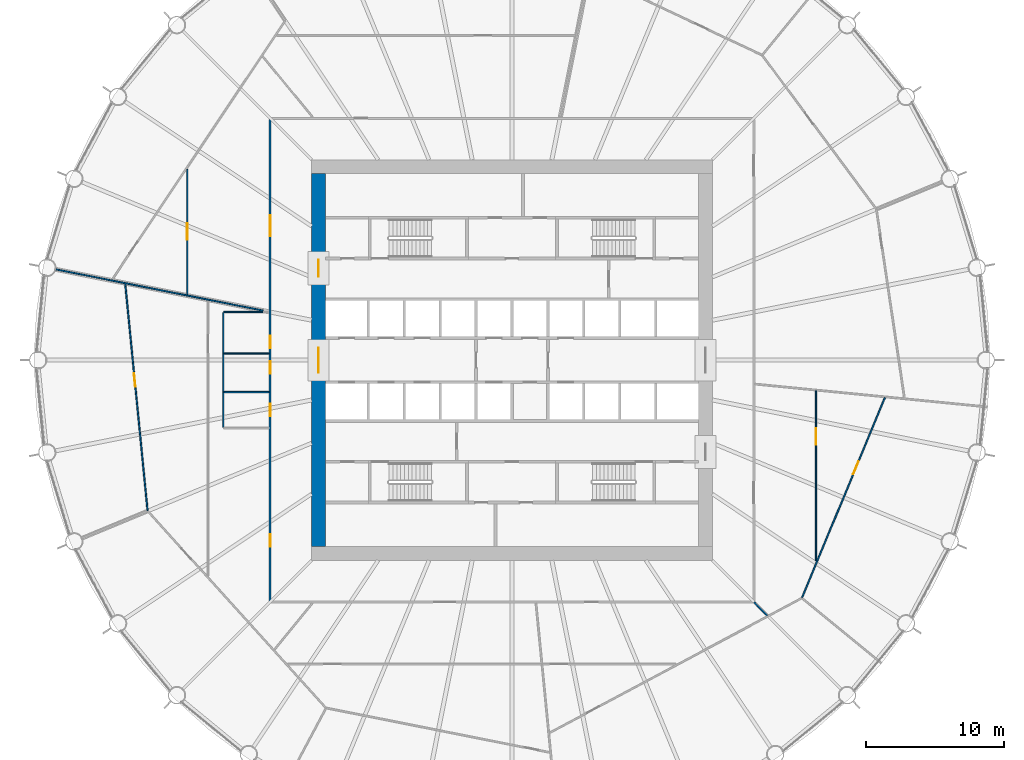
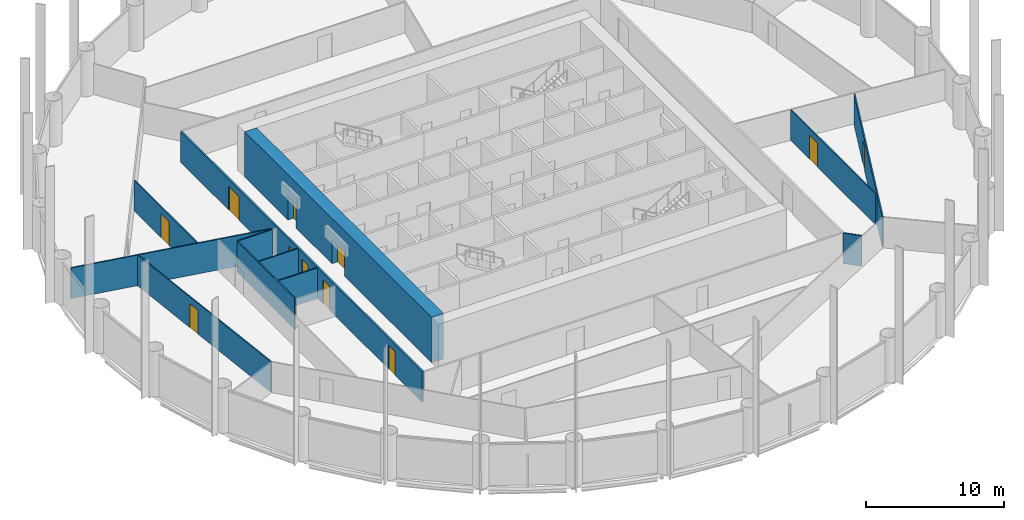
# One storey, part 5 of 10: 12 walls, 11 doors, 11 openings.
"""IFC4 building model written with IfcOpenShell, lengths in metres."""

from ifc_helpers import new_model, si_unit, direction, frame, frame_2d, origin, place, context, subcontext, project, spatial, rectangle, extrude, material, layer, layer_set, type_object, element, fill, save


model = new_model("IFC4")

# Units and contexts
model_context = context("Model", 3, precision=1e-05, world=origin(), true_north=direction((0.0, 1.0)))
body_context = subcontext(model_context, "Body", "Model", "MODEL_VIEW")
ifc_project = project(units=[si_unit("LENGTHUNIT", "METRE"), si_unit("AREAUNIT", "SQUARE_METRE"), si_unit("VOLUMEUNIT", "CUBIC_METRE"), si_unit("PLANEANGLEUNIT", "RADIAN"), si_unit("MASSUNIT", "GRAM", prefix="KILO")], contexts=[model_context])

# Site, building, storey
site_placement = place(None, origin())
site = spatial("IfcSite", under=ifc_project, at=site_placement, CompositionType="ELEMENT")
building_placement = place(site_placement, origin())
building = spatial("IfcBuilding", under=site, at=building_placement, Name="Corvane Civic Tower", CompositionType="ELEMENT")
storey_placement = place(building_placement, frame((0.0, 0.0, 106.5)))
storey = spatial("IfcBuildingStorey", under=building, at=storey_placement, Name="L24", CompositionType="ELEMENT", Elevation=106.5)

# Wall, openings, doors
ifc_material_1 = material(Name="Concrete C70/85", Category="concrete")
ifc_layer_1 = layer(ifc_material_1, 1.0)
ifc_layer_set_1 = layer_set([ifc_layer_1], Name="Concrete C70/85")
wall_type_1 = type_object("IfcWallType", Name="CORE WALL 1000 C70/85", PredefinedType="SHEAR", material=ifc_layer_set_1)
wall_1_placement = place(storey_placement, frame((-14.0, -13.5, 0.0), z_axis=(0.0, 0.0, 1.0), x_axis=(0.0, 1.0, 0.0)))
wall_1 = element("IfcWall", 1, at=wall_1_placement, inside=storey, type_object=wall_type_1, Name="W-L24-core-W", PredefinedType="SHEAR", context=body_context, shape_type="SweptSolid", body=[
    extrude(rectangle(XDim=27.0, YDim=1.0, at=frame_2d((13.5, 0.0))), origin(), (0.0, 0.0, 1.0), 4.0),
])
opening_1_placement = place(wall_1_placement, frame((12.60009765625, 0.0, 0.0)))
opening_1 = element("IfcOpeningElement", 2, at=opening_1_placement, cuts=wall_1, Name="Opening L24.C20", PredefinedType="OPENING", context=body_context, shape_type="SweptSolid", body=[
    extrude(rectangle(XDim=1.800048828125, YDim=2.10009765625, at=frame_2d((0.89990234375, 1.050048828125))), frame((0.0, 0.510009765625, 0.0), z_axis=(0.0, -1.0, 0.0), x_axis=(1.0, 0.0, 0.0)), (0.0, 0.0, 1.0), 1.02001953125),
])
opening_2_placement = place(wall_1_placement, frame((19.550048828125, 0.0, 0.0)))
opening_2 = element("IfcOpeningElement", 3, at=opening_2_placement, cuts=wall_1, Name="Opening L24.C22", PredefinedType="OPENING", context=body_context, shape_type="SweptSolid", body=[
    extrude(rectangle(XDim=1.199951171875, YDim=2.10009765625, at=frame_2d((0.60009765625, 1.050048828125))), frame((0.0, 0.510009765625, 0.0), z_axis=(0.0, -1.0, 0.0), x_axis=(1.0, 0.0, 0.0)), (0.0, 0.0, 1.0), 1.02001953125),
])
ifc_material_2 = material(Name="Steel fire door leaf", Category="steel")
door_type_1 = type_object("IfcDoorType", Name="CR-DOOR-CORE-1800", OperationType="DOUBLE_DOOR_SINGLE_SWING", PredefinedType="DOOR", material=ifc_material_2)
door_1_placement = place(opening_1_placement, origin())
door_1 = element("IfcDoor", 4, at=door_1_placement, inside=storey, type_object=door_type_1, Name="L24 door", OperationType="DOUBLE_DOOR_SINGLE_SWING", OverallHeight=2.10009765625, OverallWidth=1.800048828125, PredefinedType="DOOR", context=body_context, shape_type="SweptSolid", body=[
    extrude(rectangle(XDim=1.800048828125, YDim=2.10009765625, at=frame_2d((0.89990234375, 1.050048828125))), frame((0.0, 0.02490234375, 0.0), z_axis=(0.0, -1.0, 0.0), x_axis=(1.0, 0.0, 0.0)), (0.0, 0.0, 1.0), 0.050048828125),
])
fill(opening_1, door_1)
door_2_placement = place(opening_2_placement, origin())
door_2 = element("IfcDoor", 5, at=door_2_placement, inside=storey, type_object=door_type_1, Name="L24 door", OperationType="DOUBLE_DOOR_SINGLE_SWING", OverallHeight=2.10009765625, OverallWidth=1.199951171875, PredefinedType="DOOR", context=body_context, shape_type="SweptSolid", body=[
    extrude(rectangle(XDim=1.199951171875, YDim=2.10009765625, at=frame_2d((0.60009765625, 1.050048828125))), frame((0.0, 0.02490234375, 0.0), z_axis=(0.0, -1.0, 0.0), x_axis=(1.0, 0.0, 0.0)), (0.0, 0.0, 1.0), 0.050048828125),
])
fill(opening_2, door_2)

# Wall
ifc_material_3 = material(Name="Plasterboard")
ifc_layer_2 = layer(ifc_material_3, 0.10009765625)
ifc_layer_set_2 = layer_set([ifc_layer_2], Name="Plasterboard")
wall_type_2 = type_object("IfcWallType", Name="Partition 100 plasterboard on studs", PredefinedType="PARTITIONING", material=ifc_layer_set_2)
wall_2_placement = place(storey_placement, frame((17.5146484375, -17.5146484375, 0.0), z_axis=(0.0, 0.0, 1.0), x_axis=(0.707106781187, -0.707106781187, 0.0)))
element("IfcWall", 6, at=wall_2_placement, inside=storey, type_object=wall_type_2, Name="Partition L24.010", PredefinedType="PARTITIONING", context=body_context, shape_type="SweptSolid", body=[
    extrude(rectangle(XDim=1.366943359375, YDim=0.10009765625, at=frame_2d((0.68359375, 0.0))), origin(), (0.0, 0.0, 1.0), 2.699951171875),
])

# Wall, opening, door
wall_3_placement = place(storey_placement, frame((20.994873046875, -17.18408203125, 0.0), z_axis=(0.0, 0.0, 1.0), x_axis=(0.382676427665, 0.923882433922, 0.0)))
wall_3 = element("IfcWall", 7, at=wall_3_placement, inside=storey, type_object=wall_type_2, Name="Partition L24.014", PredefinedType="PARTITIONING", context=body_context, shape_type="SweptSolid", body=[
    extrude(rectangle(XDim=15.65283203125, YDim=0.10009765625, at=frame_2d((7.826416015625, 0.0))), origin(), (0.0, 0.0, 1.0), 2.699951171875),
])
opening_3_placement = place(wall_3_placement, frame((9.652587890625, 0.0, 0.0)))
opening_3 = element("IfcOpeningElement", 8, at=opening_3_placement, cuts=wall_3, Name="Opening L24.005", PredefinedType="OPENING", context=body_context, shape_type="SweptSolid", body=[
    extrude(rectangle(XDim=1.0, YDim=2.10009765625, at=frame_2d((0.5, 1.050048828125))), frame((0.0, 0.06005859375, 0.0), z_axis=(0.0, -1.0, 0.0), x_axis=(1.0, 0.0, 0.0)), (0.0, 0.0, 1.0), 0.1201171875),
])
ifc_material_4 = material(Name="Timber", Category="wood")
door_type_2 = type_object("IfcDoorType", Name="Single door 1000", OperationType="NOTDEFINED", PredefinedType="DOOR", material=ifc_material_4)
door_3_placement = place(opening_3_placement, frame((1.0, 0.0, 0.0), z_axis=(0.0, 0.0, 1.0), x_axis=(-1.0, 0.0, 0.0)))
door_3 = element("IfcDoor", 9, at=door_3_placement, inside=storey, type_object=door_type_2, Name="Door L24.005", OperationType="SINGLE_SWING_RIGHT", OverallHeight=2.10009765625, OverallWidth=1.0, PredefinedType="DOOR", context=body_context, shape_type="SweptSolid", body=[
    extrude(rectangle(XDim=1.0, YDim=2.10009765625, at=frame_2d((0.5, 1.050048828125))), frame((0.0, 0.02490234375, 0.0), z_axis=(0.0, -1.0, 0.0), x_axis=(1.0, 0.0, 0.0)), (0.0, 0.0, 1.0), 0.050048828125),
])
fill(opening_3, door_3)

wall_4_placement = place(storey_placement, frame((22.0, -14.505859375, 0.0), z_axis=(0.0, 0.0, 1.0), x_axis=(0.0, 1.0, 0.0)))
wall_4 = element("IfcWall", 10, at=wall_4_placement, inside=storey, type_object=wall_type_2, Name="Partition L24.016", PredefinedType="PARTITIONING", context=body_context, shape_type="SweptSolid", body=[
    extrude(rectangle(XDim=12.283935546875, YDim=0.10009765625, at=frame_2d((6.14208984375, 0.0))), origin(), (0.0, 0.0, 1.0), 2.699951171875),
])
opening_4_placement = place(wall_4_placement, frame((8.37890625, 0.0, 0.0)))
opening_4 = element("IfcOpeningElement", 11, at=opening_4_placement, cuts=wall_4, Name="Opening L24.008", PredefinedType="OPENING", context=body_context, shape_type="SweptSolid", body=[
    extrude(rectangle(XDim=1.199951171875, YDim=2.10009765625, at=frame_2d((0.60009765625, 1.050048828125))), frame((0.0, 0.06005859375, 0.0), z_axis=(0.0, -1.0, 0.0), x_axis=(1.0, 0.0, 0.0)), (0.0, 0.0, 1.0), 0.1201171875),
])
ifc_material_5 = material(Name="Timber", Category="wood")
door_type_3 = type_object("IfcDoorType", Name="Double door 1200", OperationType="NOTDEFINED", PredefinedType="DOOR", material=ifc_material_5)
door_4_placement = place(opening_4_placement, frame((1.199951171875, 0.0, 0.0), z_axis=(0.0, 0.0, 1.0), x_axis=(-1.0, 0.0, 0.0)))
door_4 = element("IfcDoor", 12, at=door_4_placement, inside=storey, type_object=door_type_3, Name="Door L24.008", OperationType="DOUBLE_DOOR_SINGLE_SWING", OverallHeight=2.10009765625, OverallWidth=1.199951171875, PredefinedType="DOOR", context=body_context, shape_type="SweptSolid", body=[
    extrude(rectangle(XDim=1.199951171875, YDim=2.10009765625, at=frame_2d((0.60009765625, 1.050048828125))), frame((0.0, 0.02490234375, 0.0), z_axis=(0.0, -1.0, 0.0), x_axis=(1.0, 0.0, 0.0)), (0.0, 0.0, 1.0), 0.050048828125),
])
fill(opening_4, door_4)

wall_5_placement = place(storey_placement, frame((-27.98779296875, 5.50146484375, 0.0), z_axis=(0.0, 0.0, 1.0), x_axis=(0.0980018916, -0.995186228423, 0.0)))
wall_5 = element("IfcWall", 13, at=wall_5_placement, inside=storey, type_object=wall_type_2, Name="Partition L24.018", PredefinedType="PARTITIONING", context=body_context, shape_type="SweptSolid", body=[
    extrude(rectangle(XDim=16.466796875, YDim=0.10009765625, at=frame_2d((8.2333984375, 0.0))), origin(), (0.0, 0.0, 1.0), 2.699951171875),
])
opening_5_placement = place(wall_5_placement, frame((6.4755859375, 0.0, 0.0)))
opening_5 = element("IfcOpeningElement", 14, at=opening_5_placement, cuts=wall_5, Name="Opening L24.013", PredefinedType="OPENING", context=body_context, shape_type="SweptSolid", body=[
    extrude(rectangle(XDim=1.0, YDim=2.10009765625, at=frame_2d((0.5, 1.050048828125))), frame((0.0, 0.06005859375, 0.0), z_axis=(0.0, -1.0, 0.0), x_axis=(1.0, 0.0, 0.0)), (0.0, 0.0, 1.0), 0.1201171875),
])
door_5_placement = place(opening_5_placement, frame((1.0, 0.0, 0.0), z_axis=(0.0, 0.0, 1.0), x_axis=(-1.0, 0.0, 0.0)))
door_5 = element("IfcDoor", 15, at=door_5_placement, inside=storey, type_object=door_type_2, Name="Door L24.013", OperationType="SINGLE_SWING_LEFT", OverallHeight=2.10009765625, OverallWidth=1.0, PredefinedType="DOOR", context=body_context, shape_type="SweptSolid", body=[
    extrude(rectangle(XDim=1.0, YDim=2.10009765625, at=frame_2d((0.5, 1.050048828125))), frame((0.0, 0.02490234375, 0.0), z_axis=(0.0, -1.0, 0.0), x_axis=(1.0, 0.0, 0.0)), (0.0, 0.0, 1.0), 0.050048828125),
])
fill(opening_5, door_5)

# Walls
wall_6_placement = place(storey_placement, frame((-20.89990234375, -4.868896484375, 0.0), z_axis=(0.0, 0.0, 1.0), x_axis=(0.0, 1.0, 0.0)))
element("IfcWall", 16, at=wall_6_placement, inside=storey, type_object=wall_type_2, Name="Partition L24.020", PredefinedType="PARTITIONING", context=body_context, shape_type="SweptSolid", body=[
    extrude(rectangle(XDim=8.2998046875, YDim=0.10009765625, at=frame_2d((4.14990234375, 0.0))), origin(), (0.0, 0.0, 1.0), 2.699951171875),
])
for number, where, z_axis, x_axis, name in (
    (17, (-20.85009765625, -2.319091796875, 0.0), (0.0, 0.0, 1.0), (1.0, 0.0, 0.0), "Partition L24.023"),
    (18, (-20.85009765625, 0.48095703125, 0.0), (0.0, 0.0, 1.0), (1.0, 0.0, 0.0), "Partition L24.024"),
):
    element("IfcWall", number, at=place(storey_placement, frame(where, z_axis=z_axis, x_axis=x_axis)), inside=storey, type_object=wall_type_2, Name=name, PredefinedType="PARTITIONING", context=body_context, shape_type="SweptSolid", body=[
        extrude(rectangle(XDim=3.275146484375, YDim=0.10009765625, at=frame_2d((1.6376953125, 0.0))), origin(), (0.0, 0.0, 1.0), 2.699951171875),
    ])
wall_7_placement = place(storey_placement, frame((-20.85009765625, 3.48095703125, 0.0), z_axis=(0.0, 0.0, 1.0), x_axis=(1.0, 0.0, 0.0)))
element("IfcWall", 19, at=wall_7_placement, inside=storey, type_object=wall_type_2, Name="Partition L24.025", PredefinedType="PARTITIONING", context=body_context, shape_type="SweptSolid", body=[
    extrude(rectangle(XDim=2.84228515625, YDim=0.10009765625, at=frame_2d((1.421142578125, 0.0))), origin(), (0.0, 0.0, 1.0), 2.699951171875),
])
wall_8_placement = place(storey_placement, frame((-33.01806640625, 6.567626953125, 0.0), z_axis=(0.0, 0.0, 1.0), x_axis=(0.980787371588, -0.195079808626, 0.0)))
element("IfcWall", 20, at=wall_8_placement, inside=storey, type_object=wall_type_2, Name="Partition L24.026", PredefinedType="PARTITIONING", context=body_context, shape_type="SweptSolid", body=[
    extrude(rectangle(XDim=15.314453125, YDim=0.10009765625, at=frame_2d((7.6572265625, 0.0))), origin(), (0.0, 0.0, 1.0), 2.699951171875),
])

# Wall, opening, door
wall_9_placement = place(storey_placement, frame((-23.5, 4.7353515625, 0.0), z_axis=(0.0, 0.0, 1.0), x_axis=(0.0, 1.0, 0.0)))
wall_9 = element("IfcWall", 21, at=wall_9_placement, inside=storey, type_object=wall_type_2, Name="Partition L24.027", PredefinedType="PARTITIONING", context=body_context, shape_type="SweptSolid", body=[
    extrude(rectangle(XDim=9.059814453125, YDim=0.10009765625, at=frame_2d((4.52978515625, 0.0))), origin(), (0.0, 0.0, 1.0), 2.699951171875),
])
opening_6_placement = place(wall_9_placement, frame((3.981689453125, 0.0, 0.0)))
opening_6 = element("IfcOpeningElement", 22, at=opening_6_placement, cuts=wall_9, Name="Opening L24.022", PredefinedType="OPENING", context=body_context, shape_type="SweptSolid", body=[
    extrude(rectangle(XDim=1.199951171875, YDim=2.10009765625, at=frame_2d((0.60009765625, 1.050048828125))), frame((0.0, 0.06005859375, 0.0), z_axis=(0.0, -1.0, 0.0), x_axis=(1.0, 0.0, 0.0)), (0.0, 0.0, 1.0), 0.1201171875),
])
door_6_placement = place(opening_6_placement, origin())
door_6 = element("IfcDoor", 23, at=door_6_placement, inside=storey, type_object=door_type_3, Name="Door L24.022", OperationType="DOUBLE_DOOR_SINGLE_SWING", OverallHeight=2.10009765625, OverallWidth=1.199951171875, PredefinedType="DOOR", context=body_context, shape_type="SweptSolid", body=[
    extrude(rectangle(XDim=1.199951171875, YDim=2.10009765625, at=frame_2d((0.60009765625, 1.050048828125))), frame((0.0, 0.02490234375, 0.0), z_axis=(0.0, -1.0, 0.0), x_axis=(1.0, 0.0, 0.0)), (0.0, 0.0, 1.0), 0.050048828125),
])
fill(opening_6, door_6)

# Wall, openings, doors
ifc_material_6 = material(Name="Plasterboard")
ifc_layer_3 = layer(ifc_material_6, 0.14990234375)
ifc_layer_set_3 = layer_set([ifc_layer_3], Name="Plasterboard")
wall_type_3 = type_object("IfcWallType", Name="Tenancy wall 150 EI 60", PredefinedType="PARTITIONING", material=ifc_layer_set_3)
wall_10_placement = place(storey_placement, frame((-17.5, -17.425048828125, 0.0), z_axis=(0.0, 0.0, 1.0), x_axis=(0.0, 1.0, 0.0)))
wall_10 = element("IfcWall", 24, at=wall_10_placement, inside=storey, type_object=wall_type_3, Name="Partition L24.012", PredefinedType="PARTITIONING", context=body_context, shape_type="SweptSolid", body=[
    extrude(rectangle(XDim=34.85009765625, YDim=0.14990234375, at=frame_2d((17.425048828125, 0.0))), origin(), (0.0, 0.0, 1.0), 2.699951171875),
])
opening_7_placement = place(wall_10_placement, frame((3.91796875, 0.0, 0.0)))
opening_7 = element("IfcOpeningElement", 25, at=opening_7_placement, cuts=wall_10, Name="Opening L24.017", PredefinedType="OPENING", context=body_context, shape_type="SweptSolid", body=[
    extrude(rectangle(XDim=0.89990234375, YDim=2.10009765625, at=frame_2d((0.449951171875, 1.050048828125))), frame((0.0, 0.0849609375, 0.0), z_axis=(0.0, -1.0, 0.0), x_axis=(1.0, 0.0, 0.0)), (0.0, 0.0, 1.0), 0.169921875),
])
opening_8_placement = place(wall_10_placement, frame((18.290283203125, 0.0, 0.0)))
opening_8 = element("IfcOpeningElement", 26, at=opening_8_placement, cuts=wall_10, Name="Opening L24.018", PredefinedType="OPENING", context=body_context, shape_type="SweptSolid", body=[
    extrude(rectangle(XDim=0.89990234375, YDim=2.10009765625, at=frame_2d((0.449951171875, 1.050048828125))), frame((0.0, 0.0849609375, 0.0), z_axis=(0.0, -1.0, 0.0), x_axis=(1.0, 0.0, 0.0)), (0.0, 0.0, 1.0), 0.169921875),
])
opening_9_placement = place(wall_10_placement, frame((16.440185546875, 0.0, 0.0)))
opening_9 = element("IfcOpeningElement", 27, at=opening_9_placement, cuts=wall_10, Name="Opening L24.019", PredefinedType="OPENING", context=body_context, shape_type="SweptSolid", body=[
    extrude(rectangle(XDim=0.89990234375, YDim=2.10009765625, at=frame_2d((0.449951171875, 1.050048828125))), frame((0.0, 0.0849609375, 0.0), z_axis=(0.0, -1.0, 0.0), x_axis=(1.0, 0.0, 0.0)), (0.0, 0.0, 1.0), 0.169921875),
])
opening_10_placement = place(wall_10_placement, frame((13.37841796875, 0.0, 0.0)))
opening_10 = element("IfcOpeningElement", 28, at=opening_10_placement, cuts=wall_10, Name="Opening L24.020", PredefinedType="OPENING", context=body_context, shape_type="SweptSolid", body=[
    extrude(rectangle(XDim=0.89990234375, YDim=2.10009765625, at=frame_2d((0.449951171875, 1.050048828125))), frame((0.0, 0.0849609375, 0.0), z_axis=(0.0, -1.0, 0.0), x_axis=(1.0, 0.0, 0.0)), (0.0, 0.0, 1.0), 0.169921875),
])
opening_11_placement = place(wall_10_placement, frame((26.39697265625, 0.0, 0.0)))
opening_11 = element("IfcOpeningElement", 29, at=opening_11_placement, cuts=wall_10, Name="Opening L24.024", PredefinedType="OPENING", context=body_context, shape_type="SweptSolid", body=[
    extrude(rectangle(XDim=1.5, YDim=2.10009765625, at=frame_2d((0.75, 1.050048828125))), frame((0.0, 0.0849609375, 0.0), z_axis=(0.0, -1.0, 0.0), x_axis=(1.0, 0.0, 0.0)), (0.0, 0.0, 1.0), 0.169921875),
])
ifc_material_7 = material(Name="Steel and timber", Category="steel")
door_type_4 = type_object("IfcDoorType", Name="Fire door FD30S 900", OperationType="NOTDEFINED", PredefinedType="DOOR", material=ifc_material_7)
door_7_placement = place(opening_7_placement, origin())
door_7 = element("IfcDoor", 30, at=door_7_placement, inside=storey, type_object=door_type_4, Name="Door L24.017", OperationType="SINGLE_SWING_RIGHT", OverallHeight=2.10009765625, OverallWidth=0.89990234375, PredefinedType="DOOR", context=body_context, shape_type="SweptSolid", body=[
    extrude(rectangle(XDim=0.89990234375, YDim=2.10009765625, at=frame_2d((0.449951171875, 1.050048828125))), frame((0.0, 0.02490234375, 0.0), z_axis=(0.0, -1.0, 0.0), x_axis=(1.0, 0.0, 0.0)), (0.0, 0.0, 1.0), 0.050048828125),
])
fill(opening_7, door_7)
door_8_placement = place(opening_8_placement, origin())
door_8 = element("IfcDoor", 31, at=door_8_placement, inside=storey, type_object=door_type_4, Name="Door L24.018", OperationType="SINGLE_SWING_LEFT", OverallHeight=2.10009765625, OverallWidth=0.89990234375, PredefinedType="DOOR", context=body_context, shape_type="SweptSolid", body=[
    extrude(rectangle(XDim=0.89990234375, YDim=2.10009765625, at=frame_2d((0.449951171875, 1.050048828125))), frame((0.0, 0.02490234375, 0.0), z_axis=(0.0, -1.0, 0.0), x_axis=(1.0, 0.0, 0.0)), (0.0, 0.0, 1.0), 0.050048828125),
])
fill(opening_8, door_8)
door_9_placement = place(opening_9_placement, origin())
door_9 = element("IfcDoor", 32, at=door_9_placement, inside=storey, type_object=door_type_4, Name="Door L24.019", OperationType="SINGLE_SWING_LEFT", OverallHeight=2.10009765625, OverallWidth=0.89990234375, PredefinedType="DOOR", context=body_context, shape_type="SweptSolid", body=[
    extrude(rectangle(XDim=0.89990234375, YDim=2.10009765625, at=frame_2d((0.449951171875, 1.050048828125))), frame((0.0, 0.02490234375, 0.0), z_axis=(0.0, -1.0, 0.0), x_axis=(1.0, 0.0, 0.0)), (0.0, 0.0, 1.0), 0.050048828125),
])
fill(opening_9, door_9)
door_10_placement = place(opening_10_placement, origin())
door_10 = element("IfcDoor", 33, at=door_10_placement, inside=storey, type_object=door_type_4, Name="Door L24.020", OperationType="SINGLE_SWING_RIGHT", OverallHeight=2.10009765625, OverallWidth=0.89990234375, PredefinedType="DOOR", context=body_context, shape_type="SweptSolid", body=[
    extrude(rectangle(XDim=0.89990234375, YDim=2.10009765625, at=frame_2d((0.449951171875, 1.050048828125))), frame((0.0, 0.02490234375, 0.0), z_axis=(0.0, -1.0, 0.0), x_axis=(1.0, 0.0, 0.0)), (0.0, 0.0, 1.0), 0.050048828125),
])
fill(opening_10, door_10)
ifc_material_8 = material(Name="Steel and timber", Category="steel")
door_type_5 = type_object("IfcDoorType", Name="Fire door FD60 double 1500", OperationType="NOTDEFINED", PredefinedType="DOOR", material=ifc_material_8)
door_11_placement = place(opening_11_placement, origin())
door_11 = element("IfcDoor", 34, at=door_11_placement, inside=storey, type_object=door_type_5, Name="Door L24.024", OperationType="DOUBLE_DOOR_SINGLE_SWING", OverallHeight=2.10009765625, OverallWidth=1.5, PredefinedType="DOOR", context=body_context, shape_type="SweptSolid", body=[
    extrude(rectangle(XDim=1.5, YDim=2.10009765625, at=frame_2d((0.75, 1.050048828125))), frame((0.0, 0.02490234375, 0.0), z_axis=(0.0, -1.0, 0.0), x_axis=(1.0, 0.0, 0.0)), (0.0, 0.0, 1.0), 0.050048828125),
])
fill(opening_11, door_11)

save(model, "model.ifc")
